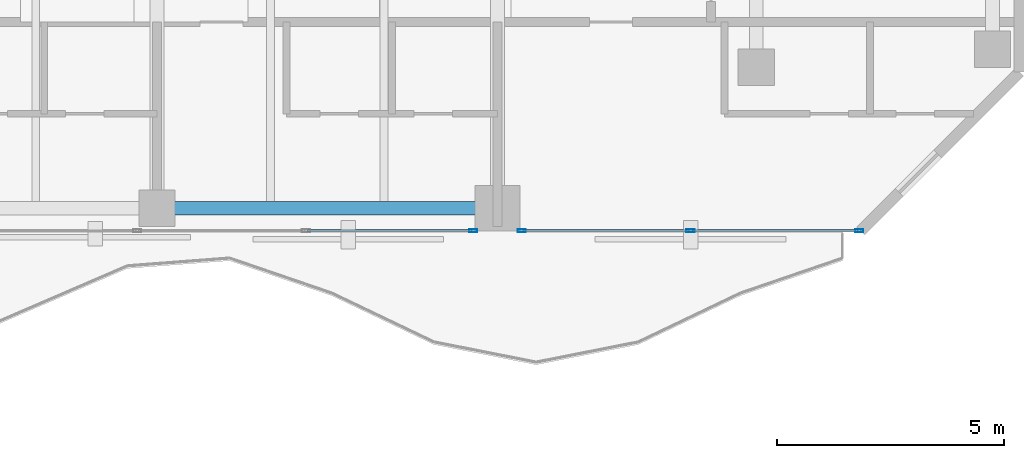
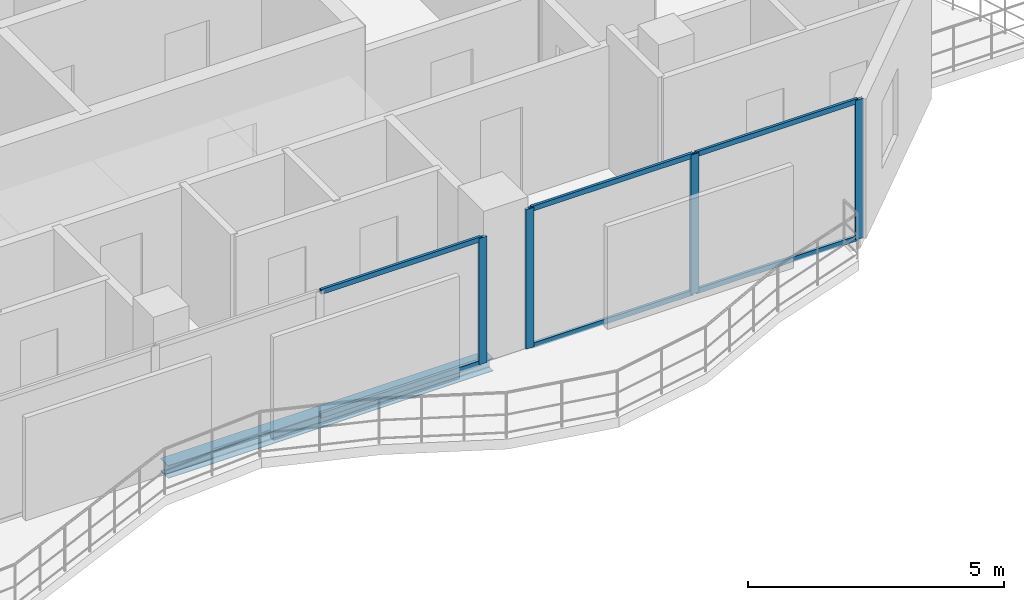
# One storey, part 12 of 24: 10 members, 1 beam, 2 elements without a shape of their own.
"""IFC4 building model written with IfcOpenShell, lengths in metres."""

from ifc_helpers import new_model, si_unit, direction, frame, origin, origin_2d, place, context, subcontext, project, spatial, hollow_rectangle, i_section, extrude, material, layer, layer_set, material_profile, profile_set, type_object, element, aggregate, save


model = new_model("IFC4")

# Units and contexts
model_context = context("Model", 3, precision=1e-05, world=origin(), true_north=direction((0.0, 1.0)))
body_context = subcontext(model_context, "Body", "Model", "MODEL_VIEW")
ifc_project = project(units=[si_unit("LENGTHUNIT", "METRE"), si_unit("AREAUNIT", "SQUARE_METRE"), si_unit("VOLUMEUNIT", "CUBIC_METRE"), si_unit("PLANEANGLEUNIT", "RADIAN"), si_unit("MASSUNIT", "GRAM", prefix="KILO")], contexts=[model_context])

# Site, building, storey
site_placement = place(None, origin())
site = spatial("IfcSite", under=ifc_project, at=site_placement, CompositionType="ELEMENT")
building_placement = place(site_placement, origin())
building = spatial("IfcBuilding", under=site, at=building_placement, Name="Catumbela Crestline Tower", CompositionType="ELEMENT")
storey_placement = place(building_placement, frame((0.0, 0.0, 161.4)))
storey = spatial("IfcBuildingStorey", under=building, at=storey_placement, Name="L41", CompositionType="ELEMENT", Elevation=161.4)

# Curtain wall, member
ifc_material_1 = material(Name="Aluminium alloy AW-6060-T66", Category="aluminium")
ifc_layer = layer(ifc_material_1, 0.18, Name="Aluminium alloy AW-6060-T66")
ifc_layer_set = layer_set([ifc_layer], Name="Aluminium alloy AW-6060-T66")
curtain_wall_type = type_object("IfcCurtainWallType", Name="CWU-Z3", PredefinedType="USERDEFINED", material=ifc_layer_set)
curtain_wall_1_placement = place(storey_placement, origin())
curtain_wall_1 = element("IfcCurtainWall", 1, at=curtain_wall_1_placement, inside=storey, type_object=curtain_wall_type, Name="L41 Unitised Curtain Wall CW-L41-E3S2", ObjectType="UNITISED", PredefinedType="USERDEFINED")
ifc_material_profile_1 = material_profile(ifc_material_1, hollow_rectangle(XDim=0.065, YDim=0.18, WallThickness=0.004, at=origin_2d()), Name="ALU 180x65x4")
ifc_profile_set_1 = profile_set([ifc_material_profile_1], Name="Aluminium alloy AW-6060-T66")
member_type_1 = type_object("IfcMemberType", Name="MUL-180X65", PredefinedType="MULLION", material=ifc_profile_set_1)
member_1_placement = place(storey_placement, frame((38.9675, 24.0, 0.0), z_axis=(0.0, 0.0, 1.0), x_axis=(0.0, 1.0, 0.0)))
member_1 = element("IfcMember", 2, at=member_1_placement, type_object=member_type_1, Name="CWU-Z3 mullion 4", PredefinedType="MULLION", context=body_context, shape_type="SweptSolid", body=[
    extrude(hollow_rectangle(XDim=0.065, YDim=0.18, WallThickness=0.004, at=origin_2d()), origin(), (0.0, 0.0, 1.0), 3.01),
])

# Curtain wall, members
curtain_wall_2_placement = place(storey_placement, origin())
curtain_wall_2 = element("IfcCurtainWall", 3, at=curtain_wall_2_placement, inside=storey, type_object=curtain_wall_type, Name="L41 Unitised Curtain Wall CW-L41-E3S3", ObjectType="UNITISED", PredefinedType="USERDEFINED")
member_2_placement = place(storey_placement, frame((40.0325, 24.0, 0.0), z_axis=(0.0, 0.0, 1.0), x_axis=(0.0, 1.0, 0.0)))
member_2 = element("IfcMember", 4, at=member_2_placement, type_object=member_type_1, Name="CWU-Z3 mullion 1", PredefinedType="MULLION", context=body_context, shape_type="SweptSolid", body=[
    extrude(hollow_rectangle(XDim=0.065, YDim=0.18, WallThickness=0.004, at=origin_2d()), origin(), (0.0, 0.0, 1.0), 3.33),
])
member_3_placement = place(storey_placement, frame((43.75, 24.0, 0.0), z_axis=(0.0, 0.0, 1.0), x_axis=(0.0, 1.0, 0.0)))
member_3 = element("IfcMember", 5, at=member_3_placement, type_object=member_type_1, Name="CWU-Z3 mullion 2", PredefinedType="MULLION", context=body_context, shape_type="SweptSolid", body=[
    extrude(hollow_rectangle(XDim=0.065, YDim=0.18, WallThickness=0.004, at=origin_2d()), origin(), (0.0, 0.0, 1.0), 3.33),
])
member_4_placement = place(storey_placement, frame((47.4675, 24.0, 0.0), z_axis=(0.0, 0.0, 1.0), x_axis=(0.0, 1.0, 0.0)))
member_4 = element("IfcMember", 6, at=member_4_placement, type_object=member_type_1, Name="CWU-Z3 mullion 3", PredefinedType="MULLION", context=body_context, shape_type="SweptSolid", body=[
    extrude(hollow_rectangle(XDim=0.065, YDim=0.18, WallThickness=0.004, at=origin_2d()), origin(), (0.0, 0.0, 1.0), 3.33),
])

# Beam
ifc_material_2 = material(Name="Structural steel S355J2", Category="steel")
ifc_material_profile_2 = material_profile(ifc_material_2, i_section(OverallWidth=0.3, OverallDepth=0.31, WebThickness=0.009, FlangeThickness=0.0155, FilletRadius=0.027, at=origin_2d()), Name="HEA 320")
ifc_profile_set_2 = profile_set([ifc_material_profile_2], Name="Structural steel S355J2")
beam_type = type_object("IfcBeamType", Name="BS-HEA320", PredefinedType="SPANDREL", material=ifc_profile_set_2)
beam_placement = place(storey_placement, frame((32.08, 24.5, -0.415), z_axis=(1.0, 0.0, 0.0), x_axis=(0.0, 1.0, 0.0)))
element("IfcBeam", 7, at=beam_placement, inside=storey, type_object=beam_type, Name="L41 Spandrel SP-L41-S05", PredefinedType="SPANDREL", context=body_context, shape_type="SweptSolid", body=[
    extrude(i_section(OverallWidth=0.3, OverallDepth=0.31, WebThickness=0.009, FlangeThickness=0.0155, FilletRadius=0.027, at=origin_2d()), origin(), (0.0, 0.0, 1.0), 7.34),
])

# Member
ifc_material_profile_3 = material_profile(ifc_material_1, hollow_rectangle(XDim=0.06, YDim=0.12, WallThickness=0.0035, at=origin_2d()), Name="ALU 120x60x3.5")
ifc_profile_set_3 = profile_set([ifc_material_profile_3], Name="Aluminium alloy AW-6060-T66")
member_type_2 = type_object("IfcMemberType", Name="TRN-120X60", PredefinedType="USERDEFINED", material=ifc_profile_set_3)
member_5_placement = place(storey_placement, frame((35.3158, 24.0, 0.03), z_axis=(1.0, 0.0, 0.0), x_axis=(0.0, 1.0, 0.0)))
member_5 = element("IfcMember", 8, at=member_5_placement, type_object=member_type_2, Name="CWU-Z3 transom 3.1", ObjectType="TRANSOM", PredefinedType="USERDEFINED", context=body_context, shape_type="SweptSolid", body=[
    extrude(hollow_rectangle(XDim=0.06, YDim=0.12, WallThickness=0.0035, at=origin_2d()), origin(), (0.0, 0.0, 1.0), 3.6192),
])

member_6_placement = place(storey_placement, frame((35.3158, 24.0, 2.98), z_axis=(1.0, 0.0, 0.0), x_axis=(0.0, 1.0, 0.0)))
member_6 = element("IfcMember", 9, at=member_6_placement, type_object=member_type_2, Name="CWU-Z3 transom 3.2", ObjectType="TRANSOM", PredefinedType="USERDEFINED", context=body_context, shape_type="SweptSolid", body=[
    extrude(hollow_rectangle(XDim=0.06, YDim=0.12, WallThickness=0.0035, at=origin_2d()), origin(), (0.0, 0.0, 1.0), 3.6192),
])

aggregate(curtain_wall_1, [member_1, member_5, member_6])

member_7_placement = place(storey_placement, frame((40.065, 24.0, 0.03), z_axis=(1.0, 0.0, 0.0), x_axis=(0.0, 1.0, 0.0)))
member_7 = element("IfcMember", 10, at=member_7_placement, type_object=member_type_2, Name="CWU-Z3 transom 1.1", ObjectType="TRANSOM", PredefinedType="USERDEFINED", context=body_context, shape_type="SweptSolid", body=[
    extrude(hollow_rectangle(XDim=0.06, YDim=0.12, WallThickness=0.0035, at=origin_2d()), origin(), (0.0, 0.0, 1.0), 3.6525),
])

member_8_placement = place(storey_placement, frame((40.065, 24.0, 3.3), z_axis=(1.0, 0.0, 0.0), x_axis=(0.0, 1.0, 0.0)))
member_8 = element("IfcMember", 11, at=member_8_placement, type_object=member_type_2, Name="CWU-Z3 transom 1.2", ObjectType="TRANSOM", PredefinedType="USERDEFINED", context=body_context, shape_type="SweptSolid", body=[
    extrude(hollow_rectangle(XDim=0.06, YDim=0.12, WallThickness=0.0035, at=origin_2d()), origin(), (0.0, 0.0, 1.0), 3.6525),
])

member_9_placement = place(storey_placement, frame((43.7825, 24.0, 0.03), z_axis=(1.0, 0.0, 0.0), x_axis=(0.0, 1.0, 0.0)))
member_9 = element("IfcMember", 12, at=member_9_placement, type_object=member_type_2, Name="CWU-Z3 transom 2.1", ObjectType="TRANSOM", PredefinedType="USERDEFINED", context=body_context, shape_type="SweptSolid", body=[
    extrude(hollow_rectangle(XDim=0.06, YDim=0.12, WallThickness=0.0035, at=origin_2d()), origin(), (0.0, 0.0, 1.0), 3.6525),
])

member_10_placement = place(storey_placement, frame((43.7825, 24.0, 3.3), z_axis=(1.0, 0.0, 0.0), x_axis=(0.0, 1.0, 0.0)))
member_10 = element("IfcMember", 13, at=member_10_placement, type_object=member_type_2, Name="CWU-Z3 transom 2.2", ObjectType="TRANSOM", PredefinedType="USERDEFINED", context=body_context, shape_type="SweptSolid", body=[
    extrude(hollow_rectangle(XDim=0.06, YDim=0.12, WallThickness=0.0035, at=origin_2d()), origin(), (0.0, 0.0, 1.0), 3.6525),
])

aggregate(curtain_wall_2, [member_2, member_3, member_4, member_7, member_8, member_9, member_10])

save(model, "model.ifc")
